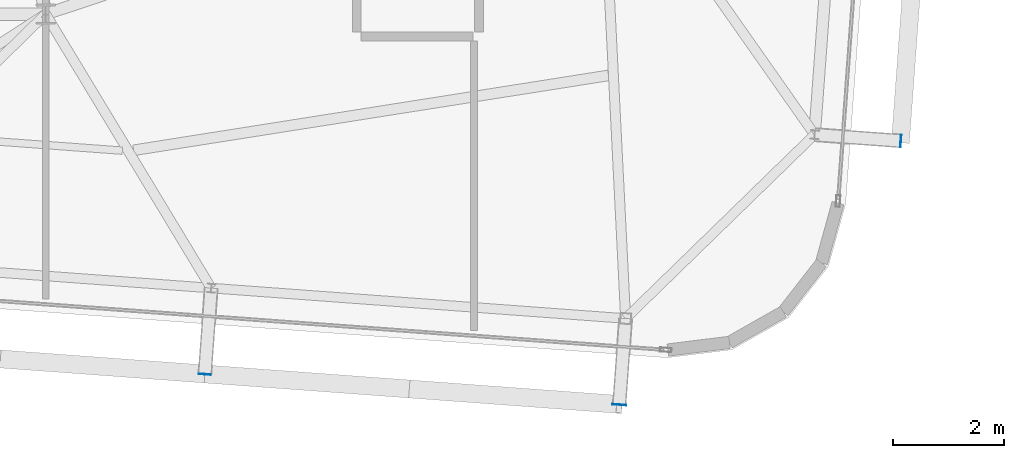
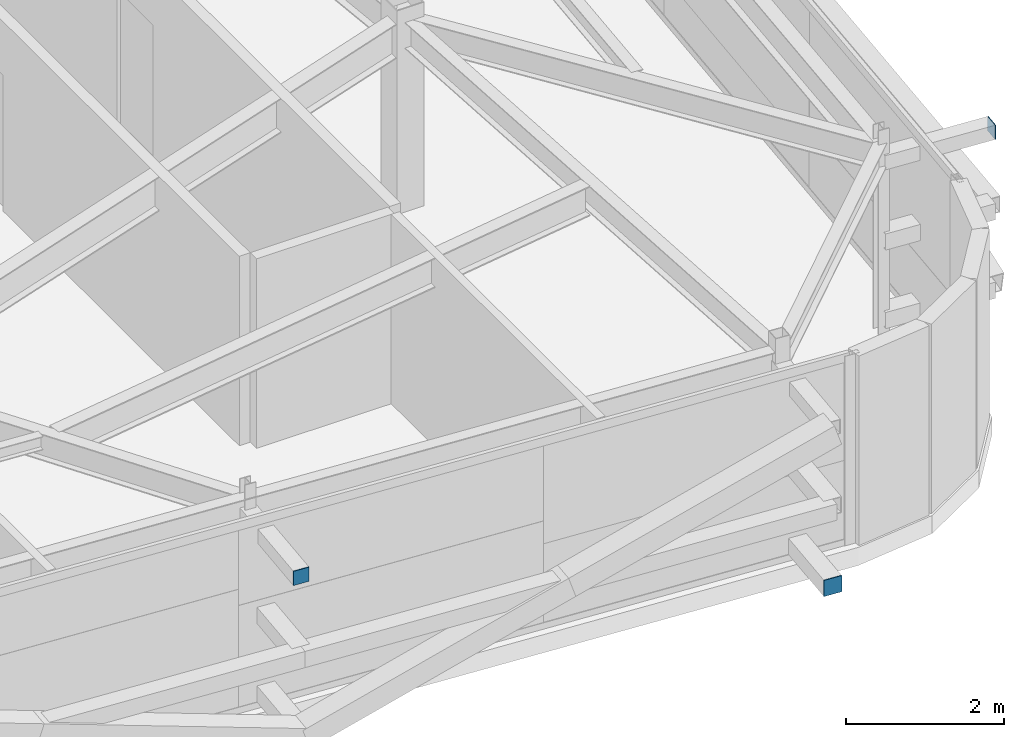
# One storey, part 27 of 35: 3 plates.
"""IFC4 building model written with IfcOpenShell, lengths in metres."""

import ifcopenshell
import ifcopenshell.guid

model = None  # the IFC model being written
_history = None  # IfcOwnerHistory: only IFC2X3 demands one
_inside = {}  # id of a spatial element -> (the spatial element, [elements in it])
_under = {}  # id of a project, library or spatial element -> (it, [spatial elements below it])
_declared = {}  # id of a project -> (the project, [libraries it declares])
_typed = {}  # id of a type object -> (the type object, [elements of that type])
_made_of = {}  # id of a material, layer set ... -> (it, [elements and type objects made of it])


def new_model(schema):
    """Start an empty IFC model of exactly this schema.

    Asked for "IFC4X3", IfcOpenShell would pick the latest addendum, in which some entities
    have other attributes; the version numbers below select the first issue.
    IFC2X3 requires an IfcOwnerHistory on every rooted entity: one is made here for all.
    """
    global model, _history
    if schema == "IFC4X3":
        model = ifcopenshell.file(schema_version=(4, 3, 0, 0))
    else:
        model = ifcopenshell.file(schema=schema)
    _inside.clear()
    _under.clear()
    _declared.clear()
    _typed.clear()
    _made_of.clear()
    _history = None
    if model.schema == "IFC2X3":
        org = make("IfcOrganization", Name="unknown")
        user = make(
            "IfcPersonAndOrganization",
            ThePerson=make("IfcPerson", FamilyName="unknown"),
            TheOrganization=org,
        )
        app = make(
            "IfcApplication",
            ApplicationDeveloper=org,
            Version="unknown",
            ApplicationFullName="unknown",
            ApplicationIdentifier="unknown",
        )
        _history = make(
            "IfcOwnerHistory",
            OwningUser=user,
            OwningApplication=app,
            ChangeAction="ADDED",
            CreationDate=0,
        )
    return model


def make(cls, **values):
    """One entity of the class cls with the attributes given. An attribute that is None is left unset."""
    return model.create_entity(
        cls, **{name: value for name, value in values.items() if value is not None}
    )


def rooted(cls, **values):
    """An entity with a GlobalId (a new one), such as an element, a storey or a relation."""
    return make(cls, GlobalId=ifcopenshell.guid.new(), OwnerHistory=_history, **values)


def si_unit(unit_type, name, prefix=None):
    """IfcSIUnit, for example si_unit("LENGTHUNIT", "METRE", prefix="MILLI")."""
    return make("IfcSIUnit", UnitType=unit_type, Prefix=prefix, Name=name)


def assignment(units):
    """IfcUnitAssignment: the units of a project."""
    return None if units is None else make("IfcUnitAssignment", Units=units)


def point(xyz):
    """IfcCartesianPoint."""
    return None if xyz is None else make("IfcCartesianPoint", Coordinates=xyz)


def direction(xyz):
    """IfcDirection."""
    return None if xyz is None else make("IfcDirection", DirectionRatios=xyz)


def frame(location, z_axis=None, x_axis=None):
    """IfcAxis2Placement3D, a coordinate frame: its origin and axes. An axis left out is left unset."""
    return make(
        "IfcAxis2Placement3D",
        Location=point(location),
        Axis=direction(z_axis),
        RefDirection=direction(x_axis),
    )


def frame_2d(location, x_axis=None):
    """IfcAxis2Placement2D, a coordinate frame in the plane: its origin and x axis."""
    return make(
        "IfcAxis2Placement2D", Location=point(location), RefDirection=direction(x_axis)
    )


def origin():
    """The frame at (0, 0, 0) with its axes left unset."""
    return frame((0.0, 0.0, 0.0))


def origin_2d():
    """The frame at (0, 0) in the plane with its x axis left unset."""
    return frame_2d((0.0, 0.0))


def place(relative_to, where):
    """IfcLocalPlacement: puts the frame where relative to a parent placement (None: the world)."""
    return make(
        "IfcLocalPlacement", PlacementRelTo=relative_to, RelativePlacement=where
    )


def context(
    kind, dimensions, precision=None, world=None, true_north=None, identifier=None
):
    """IfcGeometricRepresentationContext, for example the 3D "Model" context."""
    return make(
        "IfcGeometricRepresentationContext",
        ContextIdentifier=identifier,
        ContextType=kind,
        CoordinateSpaceDimension=dimensions,
        Precision=precision,
        WorldCoordinateSystem=world,
        TrueNorth=true_north,
    )


def subcontext(parent, identifier, kind, view, scale=None):
    """IfcGeometricRepresentationSubContext, for example "Body" below "Model"."""
    return make(
        "IfcGeometricRepresentationSubContext",
        ContextIdentifier=identifier,
        ContextType=kind,
        ParentContext=parent,
        TargetScale=scale,
        TargetView=view,
    )


def project(units=None, contexts=None):
    """IfcProject with its units and contexts."""
    return rooted(
        "IfcProject",
        Name="project",
        RepresentationContexts=contexts,
        UnitsInContext=assignment(units),
    )


def spatial(cls, under=None, at=None, **own):
    """A site, building, storey or space (cls), placed at a placement, below another one or the project."""
    s = rooted(cls, ObjectPlacement=at, **own)
    if under is not None:
        _under.setdefault(under.id(), (under, []))[1].append(s)
    return s


def profile(cls, at=None, kind="AREA", **sizes):
    """A parametric profile (cls). Its sizes go by their IFC names, for example OverallWidth=200.0."""
    return make(cls, ProfileType=kind, Position=at, **sizes)


def rectangle(**sizes):
    """IfcRectangleProfileDef."""
    return profile("IfcRectangleProfileDef", **sizes)


def extrude(swept, where, along, depth):
    """IfcExtrudedAreaSolid: the profile swept, set in the frame where, extruded along a direction by depth."""
    return make(
        "IfcExtrudedAreaSolid",
        SweptArea=swept,
        Position=where,
        ExtrudedDirection=direction(along),
        Depth=depth,
    )


def shape(context_of_items, identifier, shape_type, items):
    """IfcShapeRepresentation: the items that make up one representation, for example the "Body"."""
    return make(
        "IfcShapeRepresentation",
        ContextOfItems=context_of_items,
        RepresentationIdentifier=identifier,
        RepresentationType=shape_type,
        Items=items,
    )


def source(mapping_origin, context_of_items, identifier, shape_type, items):
    """IfcRepresentationMap: a shape defined once, which mapped items show again and again."""
    return make(
        "IfcRepresentationMap",
        MappingOrigin=mapping_origin,
        MappedRepresentation=shape(context_of_items, identifier, shape_type, items),
    )


def transform(
    local_origin,
    x_axis=None,
    y_axis=None,
    z_axis=None,
    scale=None,
    scale2=None,
    scale3=None,
    uniform=True,
):
    """IfcCartesianTransformationOperator3D, or its non-uniform kind. x_axis, y_axis, z_axis: its Axis1, 2, 3."""
    if uniform:
        return make(
            "IfcCartesianTransformationOperator3D",
            Axis1=direction(x_axis),
            Axis2=direction(y_axis),
            LocalOrigin=point(local_origin),
            Scale=scale,
            Axis3=direction(z_axis),
        )
    return make(
        "IfcCartesianTransformationOperator3DnonUniform",
        Axis1=direction(x_axis),
        Axis2=direction(y_axis),
        LocalOrigin=point(local_origin),
        Scale=scale,
        Axis3=direction(z_axis),
        Scale2=scale2,
        Scale3=scale3,
    )


def mapped(mapping_source, mapping_target):
    """IfcMappedItem: shows the shape of a source again, moved by a transform."""
    return make(
        "IfcMappedItem", MappingSource=mapping_source, MappingTarget=mapping_target
    )


def material(Name=None, Category=None):
    """IfcMaterial."""
    return make("IfcMaterial", Name=Name, Category=Category)


def layer(
    of_material, thickness, ventilated=None, Name=None, Category=None, Priority=None
):
    """IfcMaterialLayer: one layer of a wall or slab, of a material (None: an air gap)."""
    return make(
        "IfcMaterialLayer",
        Material=of_material,
        LayerThickness=thickness,
        IsVentilated=ventilated,
        Name=Name,
        Category=Category,
        Priority=Priority,
    )


def layer_set(layers, Name=None):
    """IfcMaterialLayerSet."""
    return make("IfcMaterialLayerSet", MaterialLayers=layers, LayerSetName=Name)


def made_of(thing, what):
    """Note that an element or type object is made of a material, layer set ...; save() writes the relation."""
    if what is not None:
        _made_of.setdefault(what.id(), (what, []))[1].append(thing)
    return thing


def type_object(cls, material=None, **own):
    """A type object (cls), such as IfcWallType, which elements share."""
    return made_of(rooted(cls, **own), material)


def element(
    cls,
    number,
    at=None,
    inside=None,
    cuts=None,
    type_object=None,
    material=None,
    context=None,
    identifier="Body",
    shape_type=None,
    held_by="IfcProductDefinitionShape",
    body=None,
    shapes=None,
    **own,
):
    """One element of the class cls, such as IfcWall. Its Tag is "e" and its number.

    at: its placement. inside: the storey or other place that contains it. cuts: it is an
    opening in that element (IfcRelVoidsElement). A single representation is given by context,
    identifier, shape_type and body (its items); several are given by shapes. held_by: the class
    of the entity that holds the representations. save() writes the other relations.
    """
    e = rooted(cls, Tag="e%d" % number, ObjectPlacement=at, **own)
    if body is not None:
        shapes = [shape(context, identifier, shape_type, body)]
    if shapes is not None:
        e.Representation = make(held_by, Representations=shapes)
    if inside is not None:
        _inside.setdefault(inside.id(), (inside, []))[1].append(e)
    if cuts is not None:
        rooted(
            "IfcRelVoidsElement", RelatingBuildingElement=cuts, RelatedOpeningElement=e
        )
    if type_object is not None:
        _typed.setdefault(type_object.id(), (type_object, []))[1].append(e)
    return made_of(e, material)


def aggregate(whole, parts):
    """IfcRelAggregates: a whole, such as a stair, and the parts it consists of."""
    return rooted("IfcRelAggregates", RelatingObject=whole, RelatedObjects=parts)


def save(model, path):
    """Write the relations noted so far, then the file.

    IfcRelAggregates (storeys below a building ...), IfcRelContainedInSpatialStructure (elements
    in a storey), IfcRelDefinesByType, IfcRelAssociatesMaterial and IfcRelDeclares: one each for
    every whole, place, type object, material and project.
    """
    for whole, parts in _under.values():
        aggregate(whole, parts)
    for where, things in _inside.values():
        rooted(
            "IfcRelContainedInSpatialStructure",
            RelatedElements=things,
            RelatingStructure=where,
        )
    for kind, things in _typed.values():
        rooted("IfcRelDefinesByType", RelatedObjects=things, RelatingType=kind)
    for what, things in _made_of.values():
        rooted("IfcRelAssociatesMaterial", RelatedObjects=things, RelatingMaterial=what)
    for by, libraries in _declared.values():
        rooted("IfcRelDeclares", RelatingContext=by, RelatedDefinitions=libraries)
    model.write(path)


model = new_model("IFC4")

# Units and contexts
model_context = context("Model", 3, precision=1e-05, world=origin(), true_north=direction((0.0, 1.0)))
body_context = subcontext(model_context, "Body", "Model", "MODEL_VIEW")
ifc_project = project(units=[si_unit("LENGTHUNIT", "METRE"), si_unit("AREAUNIT", "SQUARE_METRE"), si_unit("VOLUMEUNIT", "CUBIC_METRE"), si_unit("PLANEANGLEUNIT", "RADIAN"), si_unit("MASSUNIT", "GRAM", prefix="KILO")], contexts=[model_context])

# Site, building, storey
site_placement = place(None, origin())
site = spatial("IfcSite", under=ifc_project, at=site_placement, CompositionType="ELEMENT")
building_placement = place(site_placement, origin())
building = spatial("IfcBuilding", under=site, at=building_placement, Name="Taldren Reach Tower", CompositionType="ELEMENT")
storey_placement = place(building_placement, frame((0.0, 0.0, 236.60009765625)))
storey = spatial("IfcBuildingStorey", under=building, at=storey_placement, Name="L72", CompositionType="ELEMENT", Elevation=236.60009765625)

# Plates
ifc_material_1 = material(Name="Steel Gr 350 (C350L0)", Category="steel")
ifc_layer_1 = layer(ifc_material_1, 0.011962890625)
ifc_layer_set_1 = layer_set([ifc_layer_1], Name="Steel Gr 350 (C350L0)")
plate_type_1 = type_object("IfcPlateType", Name="PL-CAP-250", PredefinedType="SHEET", material=ifc_layer_set_1)
shared_shape_1 = source(origin(), body_context, "Body", "SweptSolid", [
    extrude(rectangle(XDim=0.25, YDim=0.011962890625, at=origin_2d()), origin(), (0.0, 0.0, 1.0), 0.25),
])
plate_1_placement = place(storey_placement, frame((52.326171875, 2.169189453125, 0.094970703125), z_axis=(0.0, 0.0, 1.0), x_axis=(0.997314477224, -0.073238197128, 0.0)))
element("IfcPlate", 1, at=plate_1_placement, inside=storey, type_object=plate_type_1, Name="Tie strut end cap plate B5-S6 L72", PredefinedType="SHEET", context=body_context, shape_type="MappedRepresentation", body=[
    mapped(shared_shape_1, transform((0.0, 0.0, 0.0), scale=1.0)),
])
ifc_material_2 = material(Name="Steel Gr 450 (C450L0)", Category="steel")
ifc_layer_2 = layer(ifc_material_2, 0.011962890625)
ifc_layer_set_2 = layer_set([ifc_layer_2], Name="Steel Gr 450 (C450L0)")
plate_type_2 = type_object("IfcPlateType", Name="PL-CAP-220", PredefinedType="SHEET", material=ifc_layer_set_2)
shared_shape_2 = source(origin(), body_context, "Body", "SweptSolid", [
    extrude(rectangle(XDim=0.219970703125, YDim=0.011962890625, at=origin_2d()), origin(), (0.0, 0.0, 1.0), 0.219970703125),
])
plate_2_placement = place(storey_placement, frame((44.866455078125, 2.717041015625, 2.5400390625), z_axis=(0.0, 0.0, 1.0), x_axis=(0.997314477224, -0.073238197128, 0.0)))
element("IfcPlate", 2, at=plate_2_placement, inside=storey, type_object=plate_type_2, Name="Tie strut end cap plate B5-S5 L72", PredefinedType="SHEET", context=body_context, shape_type="MappedRepresentation", body=[
    mapped(shared_shape_2, transform((0.0, 0.0, 0.0), scale=1.0)),
])
shared_shape_3 = source(origin(), body_context, "Body", "SweptSolid", [
    extrude(rectangle(XDim=0.011962890625, YDim=0.219970703125, at=origin_2d()), origin(), (0.0, 0.0, 1.0), 0.219970703125),
])
plate_3_placement = place(storey_placement, frame((57.3935546875, 6.9169921875, 2.5400390625), z_axis=(0.0, 0.0, 1.0), x_axis=(0.997314477224, -0.073238197128, 0.0)))
element("IfcPlate", 3, at=plate_3_placement, inside=storey, type_object=plate_type_2, Name="Tie strut end cap plate B5-E1 L72", PredefinedType="SHEET", context=body_context, shape_type="MappedRepresentation", body=[
    mapped(shared_shape_3, transform((0.0, 0.0, 0.0), scale=1.0)),
])

save(model, "model.ifc")
